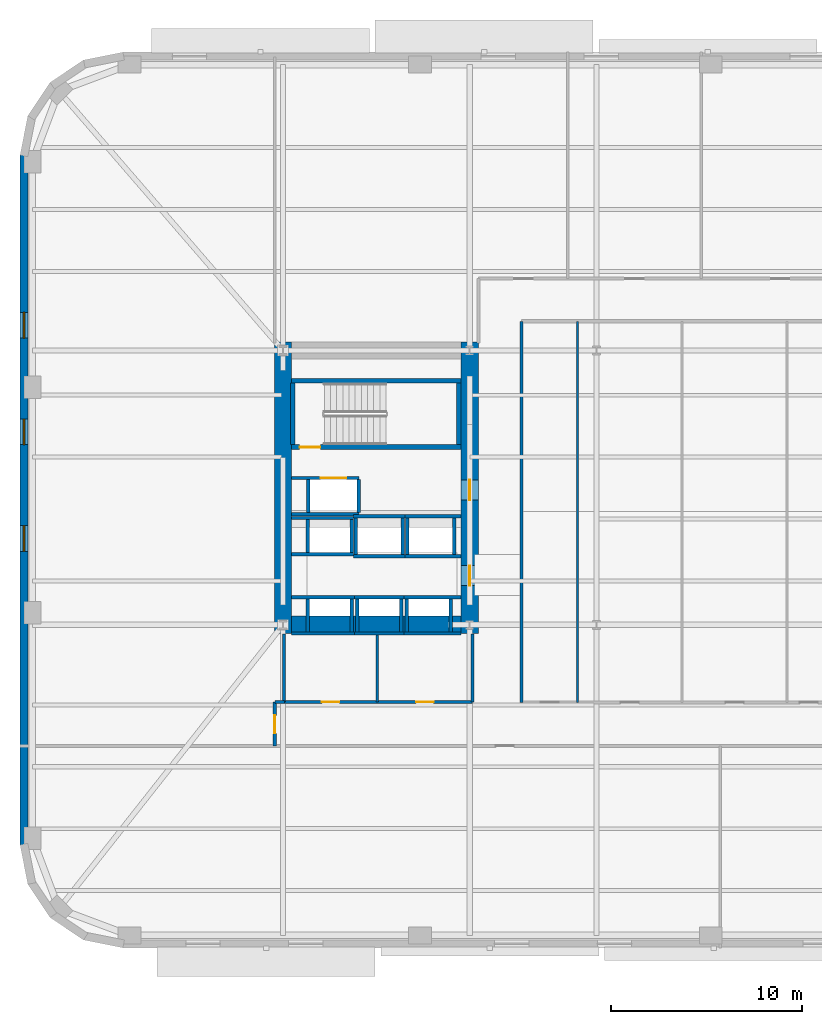
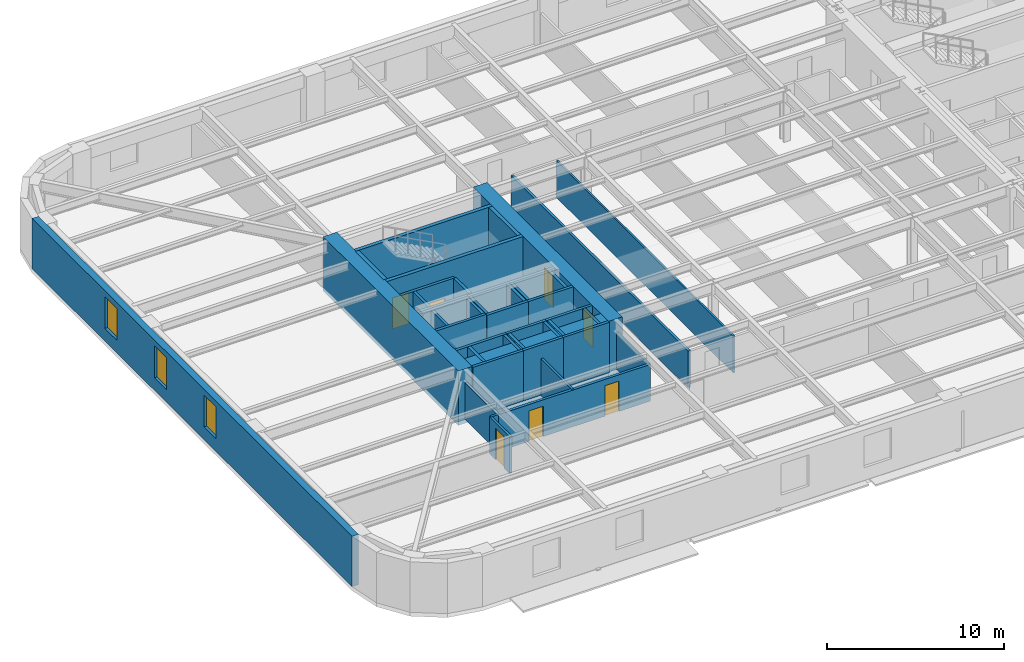
# One storey, part 4 of 14: 44 walls, 7 doors, 3 windows, 10 openings.
"""IFC4 building model written with IfcOpenShell, lengths in metres."""

from ifc_helpers import new_model, si_unit, direction, frame, frame_2d, origin, place, context, subcontext, project, spatial, rectangle, extrude, material, layer, layer_set, type_object, element, fill, save


model = new_model("IFC4")

# Units and contexts
model_context = context("Model", 3, precision=1e-05, world=origin(), true_north=direction((0.0, 1.0)))
body_context = subcontext(model_context, "Body", "Model", "MODEL_VIEW")
ifc_project = project(units=[si_unit("LENGTHUNIT", "METRE"), si_unit("AREAUNIT", "SQUARE_METRE"), si_unit("VOLUMEUNIT", "CUBIC_METRE"), si_unit("PLANEANGLEUNIT", "RADIAN"), si_unit("MASSUNIT", "GRAM", prefix="KILO")], contexts=[model_context])

# Site, building, storey
site_placement = place(None, origin())
site = spatial("IfcSite", under=ifc_project, at=site_placement, CompositionType="ELEMENT")
building_placement = place(site_placement, origin())
building = spatial("IfcBuilding", under=site, at=building_placement, Name="Kolvaren Arena Tower", CompositionType="ELEMENT")
storey_placement = place(building_placement, frame((0.0, 0.0, 75.75)))
storey = spatial("IfcBuildingStorey", under=building, at=storey_placement, Name="L16", CompositionType="ELEMENT", Elevation=75.75)

# Wall
ifc_material_1 = material(Name="Gypsum board acoustic assembly", Category="gypsum")
ifc_layer_1 = layer(ifc_material_1, 0.159912109375)
ifc_layer_set_1 = layer_set([ifc_layer_1], Name="Gypsum board acoustic assembly")
wall_type_1 = type_object("IfcWallType", Name="CORR-160", PredefinedType="PARTITIONING", material=ifc_layer_set_1)
wall_1_placement = place(storey_placement, frame((27.080078125, 15.3798828125, 0.0), z_axis=(0.0, 0.0, 1.0), x_axis=(0.0, 1.0, 0.0)))
element("IfcWall", 1, at=wall_1_placement, inside=storey, type_object=wall_type_1, Name="Interior Partition Wall (L16)", PredefinedType="PARTITIONING", context=body_context, shape_type="SweptSolid", body=[
    extrude(rectangle(XDim=20.0, YDim=0.159912109375, at=frame_2d((10.0, 0.0))), origin(), (0.0, 0.0, 1.0), 2.5400390625),
])

# Wall, opening, door
wall_2_placement = place(storey_placement, frame((14.1201171875, 13.10009765625, 0.0), z_axis=(0.0, 0.0, 1.0), x_axis=(0.0, 1.0, 0.0)))
wall_2 = element("IfcWall", 2, at=wall_2_placement, inside=storey, type_object=wall_type_1, Name="Interior Partition Wall (L16)", PredefinedType="PARTITIONING", context=body_context, shape_type="SweptSolid", body=[
    extrude(rectangle(XDim=2.2998046875, YDim=0.159912109375, at=frame_2d((1.14990234375, 0.0))), origin(), (0.0, 0.0, 1.0), 2.5400390625),
])
opening_1_placement = place(wall_2_placement, frame((0.64990234375, 0.0, 0.0)))
opening_1 = element("IfcOpeningElement", 3, at=opening_1_placement, cuts=wall_2, Name="Opening D05", PredefinedType="OPENING", context=body_context, shape_type="SweptSolid", body=[
    extrude(rectangle(XDim=0.949951171875, YDim=2.14990234375, at=frame_2d((0.47509765625, 1.074951171875))), frame((0.0, 0.08984375, 0.0), z_axis=(0.0, -1.0, 0.0), x_axis=(1.0, 0.0, 0.0)), (0.0, 0.0, 1.0), 0.179931640625),
])
ifc_material_2 = material(Name="Solid-core oak acoustic office door", Category="wood")
door_type_1 = type_object("IfcDoorType", Name="DOOR-OF-095", OperationType="NOTDEFINED", PredefinedType="DOOR", material=ifc_material_2)
door_1_placement = place(opening_1_placement, origin())
door_1 = element("IfcDoor", 4, at=door_1_placement, inside=storey, type_object=door_type_1, Name="West Wing Office Door (L16)", OperationType="SINGLE_SWING_LEFT", OverallHeight=2.14990234375, OverallWidth=0.949951171875, PredefinedType="DOOR", context=body_context, shape_type="SweptSolid", body=[
    extrude(rectangle(XDim=0.949951171875, YDim=2.14990234375, at=frame_2d((0.47509765625, 1.074951171875))), frame((0.0, 0.02490234375, 0.0), z_axis=(0.0, -1.0, 0.0), x_axis=(1.0, 0.0, 0.0)), (0.0, 0.0, 1.0), 0.050048828125),
])
fill(opening_1, door_1)

# Walls
wall_3_placement = place(storey_placement, frame((14.1201171875, 15.39990234375, 0.0), z_axis=(0.0, 0.0, 1.0), x_axis=(1.0, 0.0, 0.0)))
element("IfcWall", 5, at=wall_3_placement, inside=storey, type_object=wall_type_1, Name="Interior Partition Wall (L16)", PredefinedType="PARTITIONING", context=body_context, shape_type="SweptSolid", body=[
    extrude(rectangle(XDim=0.5, YDim=0.159912109375, at=frame_2d((0.25, 0.0))), origin(), (0.0, 0.0, 1.0), 2.5400390625),
])
ifc_material_3 = material(Name="Concrete 80 MPa", Category="concrete")
ifc_layer_2 = layer(ifc_material_3, 0.89990234375)
ifc_layer_set_2 = layer_set([ifc_layer_2], Name="Concrete 80 MPa")
wall_type_2 = type_object("IfcWallType", Name="CWALL-900", PredefinedType="SHEAR", material=ifc_layer_set_2)
wall_4_placement = place(storey_placement, frame((14.550048828125, 19.0, -0.27001953125), z_axis=(0.0, 0.0, 1.0), x_axis=(0.0, 1.0, 0.0)))
element("IfcWall", 6, at=wall_4_placement, inside=storey, type_object=wall_type_2, Name="Core Shear Wall WC-WEST (L16)", PredefinedType="SHEAR", context=body_context, shape_type="SweptSolid", body=[
    extrude(rectangle(XDim=15.300048828125, YDim=0.89990234375, at=frame_2d((7.64990234375, 0.0))), origin(), (0.0, 0.0, 1.0), 3.75),
])

# Wall, openings, doors
wall_5_placement = place(storey_placement, frame((24.35009765625, 19.0, -0.27001953125), z_axis=(0.0, 0.0, 1.0), x_axis=(0.0, 1.0, 0.0)))
wall_5 = element("IfcWall", 7, at=wall_5_placement, inside=storey, type_object=wall_type_2, Name="Core Shear Wall WC-EAST (L16)", PredefinedType="SHEAR", context=body_context, shape_type="SweptSolid", body=[
    extrude(rectangle(XDim=15.300048828125, YDim=0.89990234375, at=frame_2d((7.64990234375, 0.0))), origin(), (0.0, 0.0, 1.0), 3.75),
])
opening_2_placement = place(wall_5_placement, frame((2.5, 0.0, 0.27001953125)))
opening_2 = element("IfcOpeningElement", 8, at=opening_2_placement, cuts=wall_5, Name="Opening D04", PredefinedType="OPENING", context=body_context, shape_type="SweptSolid", body=[
    extrude(rectangle(XDim=1.050048828125, YDim=2.14990234375, at=frame_2d((0.52490234375, 1.074951171875))), frame((0.0, 0.4599609375, 0.0), z_axis=(0.0, -1.0, 0.0), x_axis=(1.0, 0.0, 0.0)), (0.0, 0.0, 1.0), 0.919921875),
])
opening_3_placement = place(wall_5_placement, frame((7.0, 0.0, 0.27001953125)))
opening_3 = element("IfcOpeningElement", 9, at=opening_3_placement, cuts=wall_5, Name="Opening D04", PredefinedType="OPENING", context=body_context, shape_type="SweptSolid", body=[
    extrude(rectangle(XDim=1.050048828125, YDim=2.14990234375, at=frame_2d((0.52490234375, 1.074951171875))), frame((0.0, 0.4599609375, 0.0), z_axis=(0.0, -1.0, 0.0), x_axis=(1.0, 0.0, 0.0)), (0.0, 0.0, 1.0), 0.919921875),
])
ifc_material_4 = material(Name="Fire-rated steel lobby door", Category="steel")
door_type_2 = type_object("IfcDoorType", Name="DOOR-FF-105", OperationType="NOTDEFINED", PredefinedType="DOOR", material=ifc_material_4)
door_2_placement = place(opening_2_placement, origin())
door_2 = element("IfcDoor", 10, at=door_2_placement, inside=storey, type_object=door_type_2, Name="West Lift Lobby Fire Door (L16)", OperationType="SINGLE_SWING_LEFT", OverallHeight=2.14990234375, OverallWidth=1.050048828125, PredefinedType="DOOR", context=body_context, shape_type="SweptSolid", body=[
    extrude(rectangle(XDim=1.050048828125, YDim=2.14990234375, at=frame_2d((0.52490234375, 1.074951171875))), frame((0.0, 0.02490234375, 0.0), z_axis=(0.0, -1.0, 0.0), x_axis=(1.0, 0.0, 0.0)), (0.0, 0.0, 1.0), 0.050048828125),
])
fill(opening_2, door_2)
door_3_placement = place(opening_3_placement, origin())
door_3 = element("IfcDoor", 11, at=door_3_placement, inside=storey, type_object=door_type_2, Name="West Firefighter Vestibule Door (L16)", OperationType="SINGLE_SWING_RIGHT", OverallHeight=2.14990234375, OverallWidth=1.050048828125, PredefinedType="DOOR", context=body_context, shape_type="SweptSolid", body=[
    extrude(rectangle(XDim=1.050048828125, YDim=2.14990234375, at=frame_2d((0.52490234375, 1.074951171875))), frame((0.0, 0.02490234375, 0.0), z_axis=(0.0, -1.0, 0.0), x_axis=(1.0, 0.0, 0.0)), (0.0, 0.0, 1.0), 0.050048828125),
])
fill(opening_3, door_3)

# Wall
wall_6_placement = place(storey_placement, frame((15.0, 19.449951171875, -0.27001953125), z_axis=(0.0, 0.0, 1.0), x_axis=(1.0, 0.0, 0.0)))
element("IfcWall", 12, at=wall_6_placement, inside=storey, type_object=wall_type_2, Name="Core Shear Wall WC-SOUTH (L16)", PredefinedType="SHEAR", context=body_context, shape_type="SweptSolid", body=[
    extrude(rectangle(XDim=8.89990234375, YDim=0.89990234375, at=frame_2d((4.449951171875, 0.0))), origin(), (0.0, 0.0, 1.0), 3.75),
])

# Wall, openings, windows
ifc_material_5 = material(Name="Precast concrete C50/60", Category="concrete")
ifc_layer_3 = layer(ifc_material_5, 0.419921875)
ifc_layer_set_3 = layer_set([ifc_layer_3], Name="Precast concrete C50/60")
wall_type_3 = type_object("IfcWallType", Name="EXT-PIER1", PredefinedType="SOLIDWALL", material=ifc_layer_set_3)
wall_7_placement = place(storey_placement, frame((0.9599609375, 7.89990234375, 0.0), z_axis=(0.0, 0.0, 1.0), x_axis=(0.0, 1.0, 0.0)))
wall_7 = element("IfcWall", 13, at=wall_7_placement, inside=storey, type_object=wall_type_3, Name="Exterior Precast Masonry-Frame Wall (L16)", PredefinedType="SOLIDWALL", context=body_context, shape_type="SweptSolid", body=[
    extrude(rectangle(XDim=36.2001953125, YDim=0.419921875, at=frame_2d((18.10009765625, 0.0))), origin(), (0.0, 0.0, 1.0), 3.47998046875),
])
opening_4_placement = place(wall_7_placement, frame((15.39990234375, 0.0, 0.8798828125)))
opening_4 = element("IfcOpeningElement", 14, at=opening_4_placement, cuts=wall_7, Name="Opening W04", PredefinedType="OPENING", context=body_context, shape_type="SweptSolid", body=[
    extrude(rectangle(XDim=1.35009765625, YDim=2.199951171875, at=frame_2d((0.675048828125, 1.10009765625))), frame((0.0, 0.219970703125, 0.0), z_axis=(0.0, -1.0, 0.0), x_axis=(1.0, 0.0, 0.0)), (0.0, 0.0, 1.0), 0.43994140625),
])
opening_5_placement = place(wall_7_placement, frame((21.0, 0.0, 0.8798828125)))
opening_5 = element("IfcOpeningElement", 15, at=opening_5_placement, cuts=wall_7, Name="Opening W04", PredefinedType="OPENING", context=body_context, shape_type="SweptSolid", body=[
    extrude(rectangle(XDim=1.35009765625, YDim=2.199951171875, at=frame_2d((0.675048828125, 1.10009765625))), frame((0.0, 0.219970703125, 0.0), z_axis=(0.0, -1.0, 0.0), x_axis=(1.0, 0.0, 0.0)), (0.0, 0.0, 1.0), 0.43994140625),
])
opening_6_placement = place(wall_7_placement, frame((26.60009765625, 0.0, 0.8798828125)))
opening_6 = element("IfcOpeningElement", 16, at=opening_6_placement, cuts=wall_7, Name="Opening W04", PredefinedType="OPENING", context=body_context, shape_type="SweptSolid", body=[
    extrude(rectangle(XDim=1.35009765625, YDim=2.199951171875, at=frame_2d((0.675048828125, 1.10009765625))), frame((0.0, 0.219970703125, 0.0), z_axis=(0.0, -1.0, 0.0), x_axis=(1.0, 0.0, 0.0)), (0.0, 0.0, 1.0), 0.43994140625),
])
ifc_material_6 = material(Name="Triple-glazed curved-facet corner window", Category="glass")
window_type = type_object("IfcWindowType", Name="WIN-CRN-A", PartitioningType="SINGLE_PANEL", PredefinedType="WINDOW", material=ifc_material_6)
window_1_placement = place(opening_4_placement, origin())
window_1 = element("IfcWindow", 17, at=window_1_placement, inside=storey, type_object=window_type, Name="End-Wall Punched Window (L16)", OverallHeight=2.199951171875, OverallWidth=1.35009765625, PartitioningType="SINGLE_PANEL", PredefinedType="WINDOW", context=body_context, shape_type="SweptSolid", body=[
    extrude(rectangle(XDim=1.35009765625, YDim=2.199951171875, at=frame_2d((0.675048828125, 1.10009765625))), frame((0.0, 0.030029296875, 0.0), z_axis=(0.0, -1.0, 0.0), x_axis=(1.0, 0.0, 0.0)), (0.0, 0.0, 1.0), 0.06005859375),
])
fill(opening_4, window_1)
window_2_placement = place(opening_5_placement, origin())
window_2 = element("IfcWindow", 18, at=window_2_placement, inside=storey, type_object=window_type, Name="End-Wall Punched Window (L16)", OverallHeight=2.199951171875, OverallWidth=1.35009765625, PartitioningType="SINGLE_PANEL", PredefinedType="WINDOW", context=body_context, shape_type="SweptSolid", body=[
    extrude(rectangle(XDim=1.35009765625, YDim=2.199951171875, at=frame_2d((0.675048828125, 1.10009765625))), frame((0.0, 0.030029296875, 0.0), z_axis=(0.0, -1.0, 0.0), x_axis=(1.0, 0.0, 0.0)), (0.0, 0.0, 1.0), 0.06005859375),
])
fill(opening_5, window_2)
window_3_placement = place(opening_6_placement, origin())
window_3 = element("IfcWindow", 19, at=window_3_placement, inside=storey, type_object=window_type, Name="End-Wall Punched Window (L16)", OverallHeight=2.199951171875, OverallWidth=1.35009765625, PartitioningType="SINGLE_PANEL", PredefinedType="WINDOW", context=body_context, shape_type="SweptSolid", body=[
    extrude(rectangle(XDim=1.35009765625, YDim=2.199951171875, at=frame_2d((0.675048828125, 1.10009765625))), frame((0.0, 0.030029296875, 0.0), z_axis=(0.0, -1.0, 0.0), x_axis=(1.0, 0.0, 0.0)), (0.0, 0.0, 1.0), 0.06005859375),
])
fill(opening_6, window_3)

# Wall
ifc_material_7 = material(Name="Gypsum board partition assembly", Category="gypsum")
ifc_layer_4 = layer(ifc_material_7, 0.114990234375)
ifc_layer_set_4 = layer_set([ifc_layer_4], Name="Gypsum board partition assembly")
wall_type_4 = type_object("IfcWallType", Name="PART-115", PredefinedType="PARTITIONING", material=ifc_layer_set_4)
wall_8_placement = place(storey_placement, frame((30.0, 15.3798828125, 0.0), z_axis=(0.0, 0.0, 1.0), x_axis=(0.0, 1.0, 0.0)))
element("IfcWall", 20, at=wall_8_placement, inside=storey, type_object=wall_type_4, Name="Interior Partition Wall (L16)", PredefinedType="PARTITIONING", context=body_context, shape_type="SweptSolid", body=[
    extrude(rectangle(XDim=20.0, YDim=0.114990234375, at=frame_2d((10.0, 0.0))), origin(), (0.0, 0.0, 1.0), 2.5400390625),
])

# Wall, opening, door
ifc_material_8 = material(Name="Concrete 45 MPa", Category="concrete")
ifc_layer_5 = layer(ifc_material_8, 0.25)
ifc_layer_set_5 = layer_set([ifc_layer_5], Name="Concrete 45 MPa")
wall_type_5 = type_object("IfcWallType", Name="SHAFT-250", PredefinedType="SOLIDWALL", material=ifc_layer_set_5)
wall_9_placement = place(storey_placement, frame((23.89990234375, 28.780029296875, 0.0), z_axis=(0.0, 0.0, 1.0), x_axis=(-1.0, 0.0, 0.0)))
wall_9 = element("IfcWall", 21, at=wall_9_placement, inside=storey, type_object=wall_type_5, Name="Core Shaft Wall (L16)", PredefinedType="SOLIDWALL", context=body_context, shape_type="SweptSolid", body=[
    extrude(rectangle(XDim=8.89990234375, YDim=0.239990234375, at=frame_2d((4.449951171875, 0.0))), origin(), (0.0, 0.0, 1.0), 3.47998046875),
])
opening_7_placement = place(wall_9_placement, frame((7.3798828125, 0.0, 0.0)))
opening_7 = element("IfcOpeningElement", 22, at=opening_7_placement, cuts=wall_9, Name="Opening D03", PredefinedType="OPENING", context=body_context, shape_type="SweptSolid", body=[
    extrude(rectangle(XDim=1.10009765625, YDim=2.14990234375, at=frame_2d((0.550048828125, 1.074951171875))), frame((0.0, 0.1298828125, 0.0), z_axis=(0.0, -1.0, 0.0), x_axis=(1.0, 0.0, 0.0)), (0.0, 0.0, 1.0), 0.260009765625),
])
ifc_material_9 = material(Name="Fire-rated steel exit stair door", Category="steel")
door_type_3 = type_object("IfcDoorType", Name="DOOR-ST-110", OperationType="NOTDEFINED", PredefinedType="DOOR", material=ifc_material_9)
door_4_placement = place(opening_7_placement, origin())
door_4 = element("IfcDoor", 23, at=door_4_placement, inside=storey, type_object=door_type_3, Name="Stair ST-W1 Fire Door (L16)", OperationType="SINGLE_SWING_RIGHT", OverallHeight=2.14990234375, OverallWidth=1.10009765625, PredefinedType="DOOR", context=body_context, shape_type="SweptSolid", body=[
    extrude(rectangle(XDim=1.10009765625, YDim=2.14990234375, at=frame_2d((0.550048828125, 1.074951171875))), frame((0.0, 0.02490234375, 0.0), z_axis=(0.0, -1.0, 0.0), x_axis=(1.0, 0.0, 0.0)), (0.0, 0.0, 1.0), 0.050048828125),
])
fill(opening_7, door_4)

# Walls
wall_10_placement = place(storey_placement, frame((15.0, 32.25, 0.0), z_axis=(0.0, 0.0, 1.0), x_axis=(1.0, 0.0, 0.0)))
element("IfcWall", 24, at=wall_10_placement, inside=storey, type_object=wall_type_5, Name="Core Shaft Wall (L16)", PredefinedType="SOLIDWALL", context=body_context, shape_type="SweptSolid", body=[
    extrude(rectangle(XDim=8.89990234375, YDim=0.239990234375, at=frame_2d((4.449951171875, 0.0))), origin(), (0.0, 0.0, 1.0), 3.47998046875),
])
for number, where, z_axis, x_axis, name in (
    (25, (15.06005859375, 28.89990234375, 0.0), (0.0, 0.0, 1.0), (0.0, 1.0, 0.0), "Core Shaft Wall (L16)"),
    (26, (23.780029296875, 28.89990234375, 0.0), (0.0, 0.0, 1.0), (0.0, 1.0, 0.0), "Core Shaft Wall (L16)"),
):
    element("IfcWall", number, at=place(storey_placement, frame(where, z_axis=z_axis, x_axis=x_axis)), inside=storey, type_object=wall_type_5, Name=name, PredefinedType="SOLIDWALL", context=body_context, shape_type="SweptSolid", body=[
        extrude(rectangle(XDim=3.22998046875, YDim=0.239990234375, at=frame_2d((1.614990234375, 0.0))), origin(), (0.0, 0.0, 1.0), 3.47998046875),
    ])
for number, where, z_axis, x_axis, name in (
    (27, (15.0, 20.905029296875, 0.0), (0.0, 0.0, 1.0), (1.0, 0.0, 0.0), "Core Shaft Wall (L16)"),
    (28, (15.0, 18.9951171875, 0.0), (0.0, 0.0, 1.0), (1.0, 0.0, 0.0), "Core Shaft Wall (L16)"),
):
    element("IfcWall", number, at=place(storey_placement, frame(where, z_axis=z_axis, x_axis=x_axis)), inside=storey, type_object=wall_type_5, Name=name, PredefinedType="SOLIDWALL", context=body_context, shape_type="SweptSolid", body=[
        extrude(rectangle(XDim=3.300048828125, YDim=0.179931640625, at=frame_2d((1.64990234375, 0.0))), origin(), (0.0, 0.0, 1.0), 3.47998046875),
    ])
for number, where, z_axis, x_axis, name in (
    (29, (15.844970703125, 19.0849609375, 0.0), (0.0, 0.0, 1.0), (0.0, 1.0, 0.0), "Core Shaft Wall (L16)"),
    (30, (18.155029296875, 19.0849609375, 0.0), (0.0, 0.0, 1.0), (0.0, 1.0, 0.0), "Core Shaft Wall (L16)"),
):
    element("IfcWall", number, at=place(storey_placement, frame(where, z_axis=z_axis, x_axis=x_axis)), inside=storey, type_object=wall_type_5, Name=name, PredefinedType="SOLIDWALL", context=body_context, shape_type="SweptSolid", body=[
        extrude(rectangle(XDim=1.72998046875, YDim=0.179931640625, at=frame_2d((0.864990234375, 0.0))), origin(), (0.0, 0.0, 1.0), 3.47998046875),
    ])
for number, where, z_axis, x_axis, name in (
    (31, (18.300048828125, 20.905029296875, 0.0), (0.0, 0.0, 1.0), (1.0, 0.0, 0.0), "Core Shaft Wall (L16)"),
    (32, (18.300048828125, 18.9951171875, 0.0), (0.0, 0.0, 1.0), (1.0, 0.0, 0.0), "Core Shaft Wall (L16)"),
):
    element("IfcWall", number, at=place(storey_placement, frame(where, z_axis=z_axis, x_axis=x_axis)), inside=storey, type_object=wall_type_5, Name=name, PredefinedType="SOLIDWALL", context=body_context, shape_type="SweptSolid", body=[
        extrude(rectangle(XDim=2.599853515625, YDim=0.179931640625, at=frame_2d((1.2998046875, 0.0))), origin(), (0.0, 0.0, 1.0), 3.47998046875),
    ])
for number, where, z_axis, x_axis, name in (
    (33, (18.445068359375, 19.0849609375, 0.0), (0.0, 0.0, 1.0), (0.0, 1.0, 0.0), "Core Shaft Wall (L16)"),
    (34, (20.7548828125, 19.0849609375, 0.0), (0.0, 0.0, 1.0), (0.0, 1.0, 0.0), "Core Shaft Wall (L16)"),
):
    element("IfcWall", number, at=place(storey_placement, frame(where, z_axis=z_axis, x_axis=x_axis)), inside=storey, type_object=wall_type_5, Name=name, PredefinedType="SOLIDWALL", context=body_context, shape_type="SweptSolid", body=[
        extrude(rectangle(XDim=1.72998046875, YDim=0.179931640625, at=frame_2d((0.864990234375, 0.0))), origin(), (0.0, 0.0, 1.0), 3.47998046875),
    ])
for number, where, z_axis, x_axis, name in (
    (35, (20.89990234375, 20.905029296875, 0.0), (0.0, 0.0, 1.0), (1.0, 0.0, 0.0), "Core Shaft Wall (L16)"),
    (36, (20.89990234375, 18.9951171875, 0.0), (0.0, 0.0, 1.0), (1.0, 0.0, 0.0), "Core Shaft Wall (L16)"),
):
    element("IfcWall", number, at=place(storey_placement, frame(where, z_axis=z_axis, x_axis=x_axis)), inside=storey, type_object=wall_type_5, Name=name, PredefinedType="SOLIDWALL", context=body_context, shape_type="SweptSolid", body=[
        extrude(rectangle(XDim=3.0, YDim=0.179931640625, at=frame_2d((1.5, 0.0))), origin(), (0.0, 0.0, 1.0), 3.47998046875),
    ])
for number, where, z_axis, x_axis, name in (
    (37, (21.044921875, 19.0849609375, 0.0), (0.0, 0.0, 1.0), (0.0, 1.0, 0.0), "Core Shaft Wall (L16)"),
    (38, (23.35498046875, 19.0849609375, 0.0), (0.0, 0.0, 1.0), (0.0, 1.0, 0.0), "Core Shaft Wall (L16)"),
):
    element("IfcWall", number, at=place(storey_placement, frame(where, z_axis=z_axis, x_axis=x_axis)), inside=storey, type_object=wall_type_5, Name=name, PredefinedType="SOLIDWALL", context=body_context, shape_type="SweptSolid", body=[
        extrude(rectangle(XDim=1.72998046875, YDim=0.179931640625, at=frame_2d((0.864990234375, 0.0))), origin(), (0.0, 0.0, 1.0), 3.47998046875),
    ])
for number, where, z_axis, x_axis, name in (
    (39, (15.0, 25.054931640625, 0.0), (0.0, 0.0, 1.0), (1.0, 0.0, 0.0), "Core Shaft Wall (L16)"),
    (40, (15.0, 23.14501953125, 0.0), (0.0, 0.0, 1.0), (1.0, 0.0, 0.0), "Core Shaft Wall (L16)"),
):
    element("IfcWall", number, at=place(storey_placement, frame(where, z_axis=z_axis, x_axis=x_axis)), inside=storey, type_object=wall_type_5, Name=name, PredefinedType="SOLIDWALL", context=body_context, shape_type="SweptSolid", body=[
        extrude(rectangle(XDim=3.262451171875, YDim=0.179931640625, at=frame_2d((1.63134765625, 0.0))), origin(), (0.0, 0.0, 1.0), 3.47998046875),
    ])
for number, where, z_axis, x_axis, name in (
    (41, (15.844970703125, 23.235107421875, 0.0), (0.0, 0.0, 1.0), (0.0, 1.0, 0.0), "Core Shaft Wall (L16)"),
    (42, (18.155029296875, 23.235107421875, 0.0), (0.0, 0.0, 1.0), (0.0, 1.0, 0.0), "Core Shaft Wall (L16)"),
):
    element("IfcWall", number, at=place(storey_placement, frame(where, z_axis=z_axis, x_axis=x_axis)), inside=storey, type_object=wall_type_5, Name=name, PredefinedType="SOLIDWALL", context=body_context, shape_type="SweptSolid", body=[
        extrude(rectangle(XDim=1.72998046875, YDim=0.179931640625, at=frame_2d((0.864990234375, 0.0))), origin(), (0.0, 0.0, 1.0), 3.47998046875),
    ])
for number, where, z_axis, x_axis, name in (
    (43, (18.262451171875, 25.155029296875, 0.0), (0.0, 0.0, 1.0), (1.0, 0.0, 0.0), "Core Shaft Wall (L16)"),
    (44, (18.262451171875, 23.044921875, 0.0), (0.0, 0.0, 1.0), (1.0, 0.0, 0.0), "Core Shaft Wall (L16)"),
):
    element("IfcWall", number, at=place(storey_placement, frame(where, z_axis=z_axis, x_axis=x_axis)), inside=storey, type_object=wall_type_5, Name=name, PredefinedType="SOLIDWALL", context=body_context, shape_type="SweptSolid", body=[
        extrude(rectangle(XDim=2.6875, YDim=0.179931640625, at=frame_2d((1.34375, 0.0))), origin(), (0.0, 0.0, 1.0), 3.47998046875),
    ])
for number, where, z_axis, x_axis, name in (
    (45, (18.3701171875, 23.135009765625, 0.0), (0.0, 0.0, 1.0), (0.0, 1.0, 0.0), "Core Shaft Wall (L16)"),
    (46, (20.830078125, 23.135009765625, 0.0), (0.0, 0.0, 1.0), (0.0, 1.0, 0.0), "Core Shaft Wall (L16)"),
):
    element("IfcWall", number, at=place(storey_placement, frame(where, z_axis=z_axis, x_axis=x_axis)), inside=storey, type_object=wall_type_5, Name=name, PredefinedType="SOLIDWALL", context=body_context, shape_type="SweptSolid", body=[
        extrude(rectangle(XDim=1.929931640625, YDim=0.179931640625, at=frame_2d((0.96484375, 0.0))), origin(), (0.0, 0.0, 1.0), 3.47998046875),
    ])
for number, where, z_axis, x_axis, name in (
    (47, (20.949951171875, 25.155029296875, 0.0), (0.0, 0.0, 1.0), (1.0, 0.0, 0.0), "Core Shaft Wall (L16)"),
    (48, (20.949951171875, 23.044921875, 0.0), (0.0, 0.0, 1.0), (1.0, 0.0, 0.0), "Core Shaft Wall (L16)"),
):
    element("IfcWall", number, at=place(storey_placement, frame(where, z_axis=z_axis, x_axis=x_axis)), inside=storey, type_object=wall_type_5, Name=name, PredefinedType="SOLIDWALL", context=body_context, shape_type="SweptSolid", body=[
        extrude(rectangle(XDim=2.949951171875, YDim=0.179931640625, at=frame_2d((1.47509765625, 0.0))), origin(), (0.0, 0.0, 1.0), 3.47998046875),
    ])
for number, where, z_axis, x_axis, name in (
    (49, (21.070068359375, 23.135009765625, 0.0), (0.0, 0.0, 1.0), (0.0, 1.0, 0.0), "Core Shaft Wall (L16)"),
    (50, (23.530029296875, 23.135009765625, 0.0), (0.0, 0.0, 1.0), (0.0, 1.0, 0.0), "Core Shaft Wall (L16)"),
):
    element("IfcWall", number, at=place(storey_placement, frame(where, z_axis=z_axis, x_axis=x_axis)), inside=storey, type_object=wall_type_5, Name=name, PredefinedType="SOLIDWALL", context=body_context, shape_type="SweptSolid", body=[
        extrude(rectangle(XDim=1.929931640625, YDim=0.179931640625, at=frame_2d((0.96484375, 0.0))), origin(), (0.0, 0.0, 1.0), 3.47998046875),
    ])

# Wall, opening, door
wall_11_placement = place(storey_placement, frame((15.0, 27.155029296875, 0.0), z_axis=(0.0, 0.0, 1.0), x_axis=(1.0, 0.0, 0.0)))
wall_11 = element("IfcWall", 51, at=wall_11_placement, inside=storey, type_object=wall_type_5, Name="Core Shaft Wall (L16)", PredefinedType="SOLIDWALL", context=body_context, shape_type="SweptSolid", body=[
    extrude(rectangle(XDim=3.530029296875, YDim=0.179931640625, at=frame_2d((1.76513671875, 0.0))), origin(), (0.0, 0.0, 1.0), 3.47998046875),
])
opening_8_placement = place(wall_11_placement, frame((1.52490234375, 0.0, 0.0)))
opening_8 = element("IfcOpeningElement", 52, at=opening_8_placement, cuts=wall_11, Name="Opening LD2", PredefinedType="OPENING", context=body_context, shape_type="SweptSolid", body=[
    extrude(rectangle(XDim=1.35009765625, YDim=2.300048828125, at=frame_2d((0.675048828125, 1.14990234375))), frame((0.0, 0.099853515625, 0.0), z_axis=(0.0, -1.0, 0.0), x_axis=(1.0, 0.0, 0.0)), (0.0, 0.0, 1.0), 0.199951171875),
])
ifc_material_10 = material(Name="Stainless steel firefighter lift landing door", Category="steel")
door_type_4 = type_object("IfcDoorType", Name="DOOR-LD-135", OperationType="DOUBLE_DOOR_SLIDING", PredefinedType="DOOR", material=ifc_material_10)
door_5_placement = place(opening_8_placement, origin())
door_5 = element("IfcDoor", 53, at=door_5_placement, inside=storey, type_object=door_type_4, Name="Firefighter Lift FF-W1 Landing Door (L16)", OperationType="DOUBLE_DOOR_SLIDING", OverallHeight=2.300048828125, OverallWidth=1.35009765625, PredefinedType="DOOR", context=body_context, shape_type="SweptSolid", body=[
    extrude(rectangle(XDim=1.35009765625, YDim=2.300048828125, at=frame_2d((0.675048828125, 1.14990234375))), frame((0.0, 0.02490234375, 0.0), z_axis=(0.0, -1.0, 0.0), x_axis=(1.0, 0.0, 0.0)), (0.0, 0.0, 1.0), 0.050048828125),
])
fill(opening_8, door_5)

# Walls
wall_12_placement = place(storey_placement, frame((15.0, 25.2451171875, 0.0), z_axis=(0.0, 0.0, 1.0), x_axis=(1.0, 0.0, 0.0)))
element("IfcWall", 54, at=wall_12_placement, inside=storey, type_object=wall_type_5, Name="Core Shaft Wall (L16)", PredefinedType="SOLIDWALL", context=body_context, shape_type="SweptSolid", body=[
    extrude(rectangle(XDim=3.530029296875, YDim=0.179931640625, at=frame_2d((1.76513671875, 0.0))), origin(), (0.0, 0.0, 1.0), 3.47998046875),
])
for number, where, z_axis, x_axis, name in (
    (55, (15.8701171875, 25.3349609375, 0.0), (0.0, 0.0, 1.0), (0.0, 1.0, 0.0), "Core Shaft Wall (L16)"),
    (56, (18.530029296875, 25.3349609375, 0.0), (0.0, 0.0, 1.0), (0.0, 1.0, 0.0), "Core Shaft Wall (L16)"),
):
    element("IfcWall", number, at=place(storey_placement, frame(where, z_axis=z_axis, x_axis=x_axis)), inside=storey, type_object=wall_type_5, Name=name, PredefinedType="SOLIDWALL", context=body_context, shape_type="SweptSolid", body=[
        extrude(rectangle(XDim=1.72998046875, YDim=0.179931640625, at=frame_2d((0.864990234375, 0.0))), origin(), (0.0, 0.0, 1.0), 3.47998046875),
    ])
ifc_material_11 = material(Name="Moisture-resistant gypsum assembly", Category="gypsum")
ifc_layer_6 = layer(ifc_material_11, 0.14990234375)
ifc_layer_set_6 = layer_set([ifc_layer_6], Name="Moisture-resistant gypsum assembly")
wall_type_6 = type_object("IfcWallType", Name="WETW-150", PredefinedType="PARTITIONING", material=ifc_layer_set_6)
wall_13_placement = place(storey_placement, frame((19.5, 15.39990234375, 0.0), z_axis=(0.0, 0.0, 1.0), x_axis=(0.0, 1.0, 0.0)))
element("IfcWall", 57, at=wall_13_placement, inside=storey, type_object=wall_type_6, Name="Interior Partition Wall (L16)", PredefinedType="PARTITIONING", context=body_context, shape_type="SweptSolid", body=[
    extrude(rectangle(XDim=3.580078125, YDim=0.14990234375, at=frame_2d((1.7900390625, 0.0))), origin(), (0.0, 0.0, 1.0), 2.5400390625),
])

# Wall, openings, doors
wall_14_placement = place(storey_placement, frame((14.60009765625, 15.39990234375, 0.0), z_axis=(0.0, 0.0, 1.0), x_axis=(1.0, 0.0, 0.0)))
wall_14 = element("IfcWall", 58, at=wall_14_placement, inside=storey, type_object=wall_type_6, Name="Interior Partition Wall (L16)", PredefinedType="PARTITIONING", context=body_context, shape_type="SweptSolid", body=[
    extrude(rectangle(XDim=9.89990234375, YDim=0.179931640625, at=frame_2d((4.949951171875, 0.0))), origin(), (0.0, 0.0, 1.0), 2.5400390625),
])
opening_9_placement = place(wall_14_placement, frame((1.989990234375, 0.0, 0.0)))
opening_9 = element("IfcOpeningElement", 59, at=opening_9_placement, cuts=wall_14, Name="Opening D07", PredefinedType="OPENING", context=body_context, shape_type="SweptSolid", body=[
    extrude(rectangle(XDim=0.919921875, YDim=2.10009765625, at=frame_2d((0.4599609375, 1.050048828125))), frame((0.0, 0.099853515625, 0.0), z_axis=(0.0, -1.0, 0.0), x_axis=(1.0, 0.0, 0.0)), (0.0, 0.0, 1.0), 0.199951171875),
])
opening_10_placement = place(wall_14_placement, frame((6.93994140625, 0.0, 0.0)))
opening_10 = element("IfcOpeningElement", 60, at=opening_10_placement, cuts=wall_14, Name="Opening D07", PredefinedType="OPENING", context=body_context, shape_type="SweptSolid", body=[
    extrude(rectangle(XDim=0.919921875, YDim=2.10009765625, at=frame_2d((0.4599609375, 1.050048828125))), frame((0.0, 0.099853515625, 0.0), z_axis=(0.0, -1.0, 0.0), x_axis=(1.0, 0.0, 0.0)), (0.0, 0.0, 1.0), 0.199951171875),
])
ifc_material_12 = material(Name="Laminate universal washroom door", Category="wood")
door_type_5 = type_object("IfcDoorType", Name="DOOR-WC-092", OperationType="NOTDEFINED", PredefinedType="DOOR", material=ifc_material_12)
door_6_placement = place(opening_9_placement, origin())
door_6 = element("IfcDoor", 61, at=door_6_placement, inside=storey, type_object=door_type_5, Name="Universal Barrier-Free Washroom Door (L16)", OperationType="SINGLE_SWING_RIGHT", OverallHeight=2.10009765625, OverallWidth=0.919921875, PredefinedType="DOOR", context=body_context, shape_type="SweptSolid", body=[
    extrude(rectangle(XDim=0.919921875, YDim=2.10009765625, at=frame_2d((0.4599609375, 1.050048828125))), frame((0.0, 0.02490234375, 0.0), z_axis=(0.0, -1.0, 0.0), x_axis=(1.0, 0.0, 0.0)), (0.0, 0.0, 1.0), 0.050048828125),
])
fill(opening_9, door_6)
door_7_placement = place(opening_10_placement, origin())
door_7 = element("IfcDoor", 62, at=door_7_placement, inside=storey, type_object=door_type_5, Name="Gender-Neutral Washroom Door (L16)", OperationType="SINGLE_SWING_LEFT", OverallHeight=2.10009765625, OverallWidth=0.919921875, PredefinedType="DOOR", context=body_context, shape_type="SweptSolid", body=[
    extrude(rectangle(XDim=0.919921875, YDim=2.10009765625, at=frame_2d((0.4599609375, 1.050048828125))), frame((0.0, 0.02490234375, 0.0), z_axis=(0.0, -1.0, 0.0), x_axis=(1.0, 0.0, 0.0)), (0.0, 0.0, 1.0), 0.050048828125),
])
fill(opening_10, door_7)

# Walls
for number, where, z_axis, x_axis, name in (
    (63, (14.60009765625, 15.39990234375, 0.0), (0.0, 0.0, 1.0), (0.0, 1.0, 0.0), "Interior Partition Wall (L16)"),
    (64, (24.5, 15.39990234375, 0.0), (0.0, 0.0, 1.0), (0.0, 1.0, 0.0), "Interior Partition Wall (L16)"),
):
    element("IfcWall", number, at=place(storey_placement, frame(where, z_axis=z_axis, x_axis=x_axis)), inside=storey, type_object=wall_type_6, Name=name, PredefinedType="PARTITIONING", context=body_context, shape_type="SweptSolid", body=[
        extrude(rectangle(XDim=3.580078125, YDim=0.14990234375, at=frame_2d((1.7900390625, 0.0))), origin(), (0.0, 0.0, 1.0), 2.5400390625),
    ])

save(model, "model.ifc")
